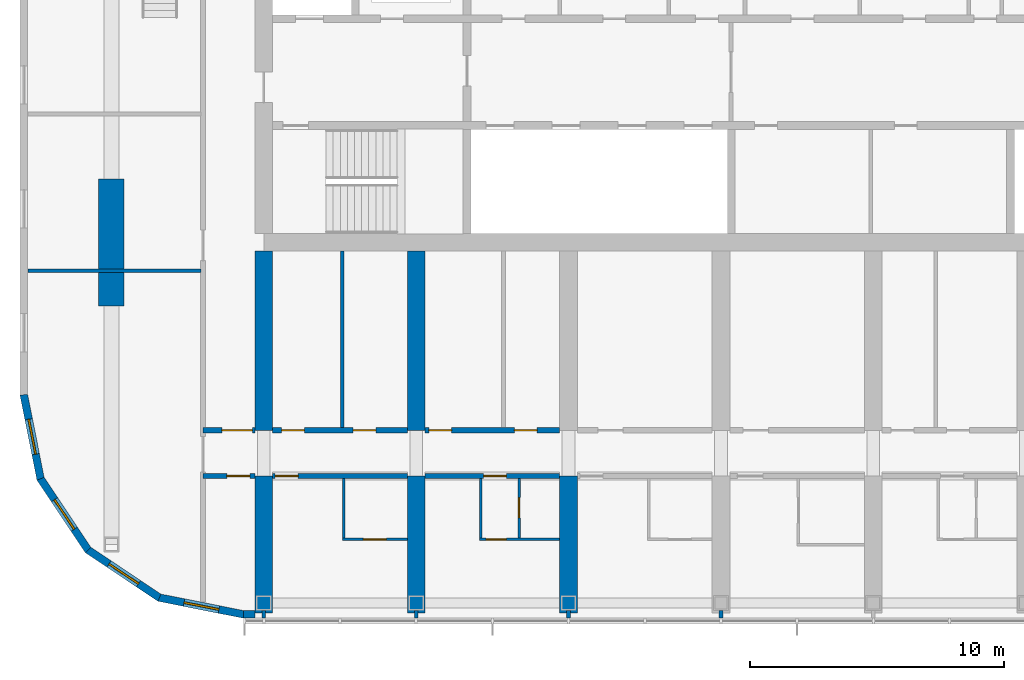
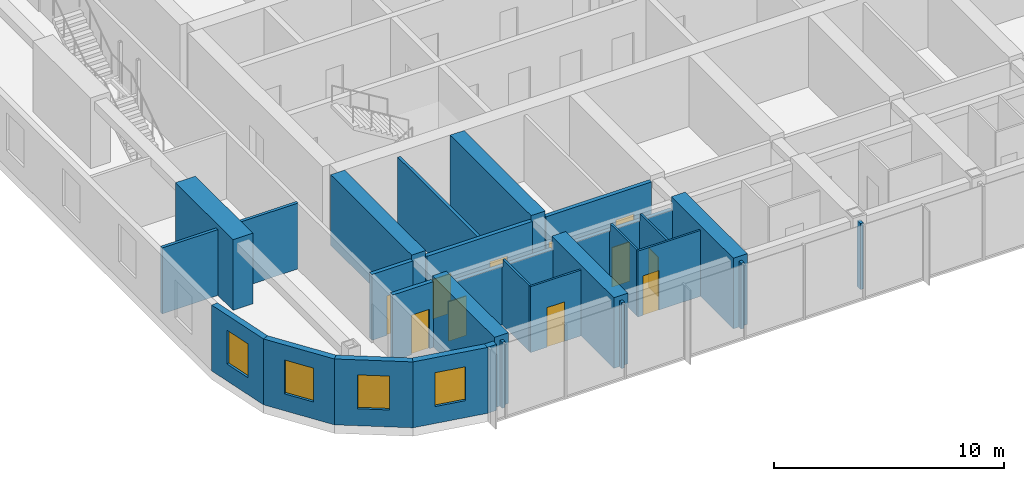
# One storey, part 13 of 28: 28 walls, 11 doors, 4 windows, 15 openings.
"""IFC4 building model written with IfcOpenShell, lengths in metres."""

from ifc_helpers import new_model, si_unit, direction, frame, frame_2d, origin, place, context, subcontext, project, spatial, polyline, rectangle, outline, extrude, material, layer, layer_set, type_object, element, fill, save


model = new_model("IFC4")

# Units and contexts
model_context = context("Model", 3, precision=1e-05, world=origin(), true_north=direction((0.0, 1.0)))
body_context = subcontext(model_context, "Body", "Model", "MODEL_VIEW")
ifc_project = project(units=[si_unit("LENGTHUNIT", "METRE"), si_unit("AREAUNIT", "SQUARE_METRE"), si_unit("VOLUMEUNIT", "CUBIC_METRE"), si_unit("PLANEANGLEUNIT", "RADIAN"), si_unit("MASSUNIT", "GRAM", prefix="KILO")], contexts=[model_context])

# Site, building, storey
site_placement = place(None, origin())
site = spatial("IfcSite", under=ifc_project, at=site_placement, CompositionType="ELEMENT")
building_placement = place(site_placement, origin())
building = spatial("IfcBuilding", under=site, at=building_placement, Name="Orbita Commons", CompositionType="ELEMENT")
storey_placement = place(building_placement, frame((0.0, 0.0, 216.550048828125)))
storey = spatial("IfcBuildingStorey", under=building, at=storey_placement, Name="L53", CompositionType="ELEMENT", Elevation=216.550048828125)

# Wall, opening, door
ifc_material_1 = material(Name="Concrete blockwork", Category="masonry")
ifc_layer_1 = layer(ifc_material_1, 0.199951171875)
ifc_layer_set_1 = layer_set([ifc_layer_1], Name="Concrete blockwork")
wall_type_1 = type_object("IfcWallType", Name="Corridor wall 200 blockwork", PredefinedType="SOLIDWALL", material=ifc_layer_set_1)
wall_1_placement = place(storey_placement, frame((15.60009765625, 16.60009765625, 0.0), z_axis=(0.0, 0.0, 1.0), x_axis=(1.0, 0.0, 0.0)))
wall_1 = element("IfcWall", 1, at=wall_1_placement, inside=storey, type_object=wall_type_1, Name="Corridor wall 200 blockwork L53", PredefinedType="SOLIDWALL", context=body_context, shape_type="SweptSolid", body=[
    extrude(rectangle(XDim=2.0498046875, YDim=0.199951171875, at=frame_2d((1.02490234375, 0.0))), origin(), (0.0, 0.0, 1.0), 3.5),
])
opening_1_placement = place(wall_1_placement, frame((0.949951171875, 0.0, 0.0)))
opening_1 = element("IfcOpeningElement", 2, at=opening_1_placement, cuts=wall_1, Name="Opening D05", PredefinedType="OPENING", context=body_context, shape_type="SweptSolid", body=[
    extrude(rectangle(XDim=0.89990234375, YDim=2.10009765625, at=frame_2d((0.449951171875, 1.050048828125))), frame((0.0, 0.10986328125, 0.0), z_axis=(0.0, -1.0, 0.0), x_axis=(1.0, 0.0, 0.0)), (0.0, 0.0, 1.0), 0.219970703125),
])
ifc_material_2 = material(Name="Steel-faced fire door leaf", Category="steel")
door_type_1 = type_object("IfcDoorType", Name="Service door 20 min 900x2100", OperationType="SINGLE_SWING_LEFT", PredefinedType="DOOR", material=ifc_material_2)
door_1_placement = place(opening_1_placement, origin())
door_1 = element("IfcDoor", 3, at=door_1_placement, inside=storey, type_object=door_type_1, Name="Linen store L53-KWS door", OperationType="SINGLE_SWING_LEFT", OverallHeight=2.10009765625, OverallWidth=0.89990234375, PredefinedType="DOOR", context=body_context, shape_type="SweptSolid", body=[
    extrude(rectangle(XDim=0.89990234375, YDim=2.10009765625, at=frame_2d((0.449951171875, 1.050048828125))), frame((0.0, 0.02490234375, 0.0), z_axis=(0.0, -1.0, 0.0), x_axis=(1.0, 0.0, 0.0)), (0.0, 0.0, 1.0), 0.050048828125),
])
fill(opening_1, door_1)

wall_2_placement = place(storey_placement, frame((18.35009765625, 16.60009765625, 0.0), z_axis=(0.0, 0.0, 1.0), x_axis=(1.0, 0.0, 0.0)))
wall_2 = element("IfcWall", 4, at=wall_2_placement, inside=storey, type_object=wall_type_1, Name="Corridor wall 200 blockwork L53", PredefinedType="SOLIDWALL", context=body_context, shape_type="SweptSolid", body=[
    extrude(outline(polyline([(0.0, 0.0), (5.2998046875, 0.0), (5.300048828125, 3.099853515625), (0.0, 3.099853515625), (0.0, 0.0)])), frame((0.0, 0.10009765625, 0.0), z_axis=(0.0, -1.0, 0.0), x_axis=(1.0, 0.0, 0.0)), (0.0, 0.0, 1.0), 0.199951171875),
])
opening_2_placement = place(wall_2_placement, frame((0.10009765625, 0.0, 0.0)))
opening_2 = element("IfcOpeningElement", 5, at=opening_2_placement, cuts=wall_2, Name="Opening D11", PredefinedType="OPENING", context=body_context, shape_type="SweptSolid", body=[
    extrude(rectangle(XDim=0.89990234375, YDim=2.10009765625, at=frame_2d((0.449951171875, 1.050048828125))), frame((0.0, 0.10986328125, 0.0), z_axis=(0.0, -1.0, 0.0), x_axis=(1.0, 0.0, 0.0)), (0.0, 0.0, 1.0), 0.219970703125),
])
ifc_material_3 = material(Name="Steel-faced fire door leaf", Category="steel")
door_type_2 = type_object("IfcDoorType", Name="Corridor door 20 min 900x2100", OperationType="SINGLE_SWING_LEFT", PredefinedType="DOOR", material=ifc_material_3)
door_2_placement = place(opening_2_placement, origin())
door_2 = element("IfcDoor", 6, at=door_2_placement, inside=storey, type_object=door_type_2, Name="Studio apartment with kitchenette L53-S00 door", OperationType="SINGLE_SWING_LEFT", OverallHeight=2.10009765625, OverallWidth=0.89990234375, PredefinedType="DOOR", context=body_context, shape_type="SweptSolid", body=[
    extrude(rectangle(XDim=0.89990234375, YDim=2.10009765625, at=frame_2d((0.449951171875, 1.050048828125))), frame((0.0, 0.02490234375, 0.0), z_axis=(0.0, -1.0, 0.0), x_axis=(1.0, 0.0, 0.0)), (0.0, 0.0, 1.0), 0.050048828125),
])
fill(opening_2, door_2)

wall_3_placement = place(storey_placement, frame((24.35009765625, 16.60009765625, 0.0), z_axis=(0.0, 0.0, 1.0), x_axis=(1.0, 0.0, 0.0)))
wall_3 = element("IfcWall", 7, at=wall_3_placement, inside=storey, type_object=wall_type_1, Name="Corridor wall 200 blockwork L53", PredefinedType="SOLIDWALL", context=body_context, shape_type="SweptSolid", body=[
    extrude(outline(polyline([(0.0, 0.0), (5.2998046875, 0.0), (5.300048828125, 3.099853515625), (0.0, 3.099853515625), (0.0, 0.0)])), frame((0.0, 0.10009765625, 0.0), z_axis=(0.0, -1.0, 0.0), x_axis=(1.0, 0.0, 0.0)), (0.0, 0.0, 1.0), 0.199951171875),
])
opening_3_placement = place(wall_3_placement, frame((2.300048828125, 0.0, 0.0)))
opening_3 = element("IfcOpeningElement", 8, at=opening_3_placement, cuts=wall_3, Name="Opening D11", PredefinedType="OPENING", context=body_context, shape_type="SweptSolid", body=[
    extrude(rectangle(XDim=0.89990234375, YDim=2.10009765625, at=frame_2d((0.449951171875, 1.050048828125))), frame((0.0, 0.10986328125, 0.0), z_axis=(0.0, -1.0, 0.0), x_axis=(1.0, 0.0, 0.0)), (0.0, 0.0, 1.0), 0.219970703125),
])
door_3_placement = place(opening_3_placement, origin())
door_3 = element("IfcDoor", 9, at=door_3_placement, inside=storey, type_object=door_type_2, Name="Studio flat L53-S02 entrance door", OperationType="SINGLE_SWING_LEFT", OverallHeight=2.10009765625, OverallWidth=0.89990234375, PredefinedType="DOOR", context=body_context, shape_type="SweptSolid", body=[
    extrude(rectangle(XDim=0.89990234375, YDim=2.10009765625, at=frame_2d((0.449951171875, 1.050048828125))), frame((0.0, 0.02490234375, 0.0), z_axis=(0.0, -1.0, 0.0), x_axis=(1.0, 0.0, 0.0)), (0.0, 0.0, 1.0), 0.050048828125),
])
fill(opening_3, door_3)

ifc_material_4 = material(Name="Hollow concrete block 200", Category="concrete")
ifc_layer_2 = layer(ifc_material_4, 0.199951171875)
ifc_layer_set_2 = layer_set([ifc_layer_2], Name="Hollow concrete block 200")
wall_type_2 = type_object("IfcWallType", Name="Corridor wall 200 hollow concrete block", PredefinedType="SOLIDWALL", material=ifc_layer_set_2)
wall_4_placement = place(storey_placement, frame((15.60009765625, 18.39990234375, 0.0), z_axis=(0.0, 0.0, 1.0), x_axis=(1.0, 0.0, 0.0)))
wall_4 = element("IfcWall", 10, at=wall_4_placement, inside=storey, type_object=wall_type_2, Name="Corridor wall 200 hollow concrete block L53", PredefinedType="SOLIDWALL", context=body_context, shape_type="SweptSolid", body=[
    extrude(rectangle(XDim=2.0498046875, YDim=0.199951171875, at=frame_2d((1.02490234375, 0.0))), origin(), (0.0, 0.0, 1.0), 3.5),
])
opening_4_placement = place(wall_4_placement, frame((0.75, 0.0, 0.0)))
opening_4 = element("IfcOpeningElement", 11, at=opening_4_placement, cuts=wall_4, Name="Opening D12", PredefinedType="OPENING", context=body_context, shape_type="SweptSolid", body=[
    extrude(rectangle(XDim=1.199951171875, YDim=2.10009765625, at=frame_2d((0.60009765625, 1.050048828125))), frame((0.0, 0.10986328125, 0.0), z_axis=(0.0, -1.0, 0.0), x_axis=(1.0, 0.0, 0.0)), (0.0, 0.0, 1.0), 0.219970703125),
])
ifc_material_5 = material(Name="Steel-faced fire door leaf", Category="steel")
door_type_3 = type_object("IfcDoorType", Name="Double corridor door 20 min 1200x2100", OperationType="DOUBLE_DOOR_SINGLE_SWING", PredefinedType="DOOR", material=ifc_material_5)
door_4_placement = place(opening_4_placement, origin())
door_4 = element("IfcDoor", 12, at=door_4_placement, inside=storey, type_object=door_type_3, Name="Cross corridor doors", OperationType="DOUBLE_DOOR_SINGLE_SWING", OverallHeight=2.10009765625, OverallWidth=1.199951171875, PredefinedType="DOOR", context=body_context, shape_type="SweptSolid", body=[
    extrude(rectangle(XDim=1.199951171875, YDim=2.10009765625, at=frame_2d((0.60009765625, 1.050048828125))), frame((0.0, 0.02490234375, 0.0), z_axis=(0.0, -1.0, 0.0), x_axis=(1.0, 0.0, 0.0)), (0.0, 0.0, 1.0), 0.050048828125),
])
fill(opening_4, door_4)

# Wall, openings, doors
wall_5_placement = place(storey_placement, frame((18.35009765625, 18.39990234375, 0.0), z_axis=(0.0, 0.0, 1.0), x_axis=(1.0, 0.0, 0.0)))
wall_5 = element("IfcWall", 13, at=wall_5_placement, inside=storey, type_object=wall_type_2, Name="Corridor wall 200 hollow concrete block L53", PredefinedType="SOLIDWALL", context=body_context, shape_type="SweptSolid", body=[
    extrude(rectangle(XDim=5.2998046875, YDim=0.199951171875, at=frame_2d((2.64990234375, 0.0))), origin(), (0.0, 0.0, 1.0), 3.5),
])
opening_5_placement = place(wall_5_placement, frame((0.35009765625, 0.0, 0.0)))
opening_5 = element("IfcOpeningElement", 14, at=opening_5_placement, cuts=wall_5, Name="Opening D11", PredefinedType="OPENING", context=body_context, shape_type="SweptSolid", body=[
    extrude(rectangle(XDim=0.89990234375, YDim=2.10009765625, at=frame_2d((0.449951171875, 1.050048828125))), frame((0.0, 0.10986328125, 0.0), z_axis=(0.0, -1.0, 0.0), x_axis=(1.0, 0.0, 0.0)), (0.0, 0.0, 1.0), 0.219970703125),
])
opening_6_placement = place(wall_5_placement, frame((3.1650390625, 0.0, 0.0)))
opening_6 = element("IfcOpeningElement", 15, at=opening_6_placement, cuts=wall_5, Name="Opening D11", PredefinedType="OPENING", context=body_context, shape_type="SweptSolid", body=[
    extrude(rectangle(XDim=0.89990234375, YDim=2.10009765625, at=frame_2d((0.449951171875, 1.050048828125))), frame((0.0, 0.10986328125, 0.0), z_axis=(0.0, -1.0, 0.0), x_axis=(1.0, 0.0, 0.0)), (0.0, 0.0, 1.0), 0.219970703125),
])
door_5_placement = place(opening_5_placement, origin())
door_5 = element("IfcDoor", 16, at=door_5_placement, inside=storey, type_object=door_type_2, Name="Accessible WC and shower room L53-BDS18n door", OperationType="SINGLE_SWING_LEFT", OverallHeight=2.10009765625, OverallWidth=0.89990234375, PredefinedType="DOOR", context=body_context, shape_type="SweptSolid", body=[
    extrude(rectangle(XDim=0.89990234375, YDim=2.10009765625, at=frame_2d((0.449951171875, 1.050048828125))), frame((0.0, 0.02490234375, 0.0), z_axis=(0.0, -1.0, 0.0), x_axis=(1.0, 0.0, 0.0)), (0.0, 0.0, 1.0), 0.050048828125),
])
fill(opening_5, door_5)
door_6_placement = place(opening_6_placement, origin())
door_6 = element("IfcDoor", 17, at=door_6_placement, inside=storey, type_object=door_type_2, Name="Media room L53-BDS18 door", OperationType="SINGLE_SWING_LEFT", OverallHeight=2.10009765625, OverallWidth=0.89990234375, PredefinedType="DOOR", context=body_context, shape_type="SweptSolid", body=[
    extrude(rectangle(XDim=0.89990234375, YDim=2.10009765625, at=frame_2d((0.449951171875, 1.050048828125))), frame((0.0, 0.02490234375, 0.0), z_axis=(0.0, -1.0, 0.0), x_axis=(1.0, 0.0, 0.0)), (0.0, 0.0, 1.0), 0.050048828125),
])
fill(opening_6, door_6)

wall_6_placement = place(storey_placement, frame((24.35009765625, 18.39990234375, 0.0), z_axis=(0.0, 0.0, 1.0), x_axis=(1.0, 0.0, 0.0)))
wall_6 = element("IfcWall", 18, at=wall_6_placement, inside=storey, type_object=wall_type_2, Name="Corridor wall 200 hollow concrete block L53", PredefinedType="SOLIDWALL", context=body_context, shape_type="SweptSolid", body=[
    extrude(rectangle(XDim=5.2998046875, YDim=0.199951171875, at=frame_2d((2.64990234375, 0.0))), origin(), (0.0, 0.0, 1.0), 3.5),
])
opening_7_placement = place(wall_6_placement, frame((0.14990234375, 0.0, 0.0)))
opening_7 = element("IfcOpeningElement", 19, at=opening_7_placement, cuts=wall_6, Name="Opening D11", PredefinedType="OPENING", context=body_context, shape_type="SweptSolid", body=[
    extrude(rectangle(XDim=0.89990234375, YDim=2.10009765625, at=frame_2d((0.449951171875, 1.050048828125))), frame((0.0, 0.10986328125, 0.0), z_axis=(0.0, -1.0, 0.0), x_axis=(1.0, 0.0, 0.0)), (0.0, 0.0, 1.0), 0.219970703125),
])
opening_8_placement = place(wall_6_placement, frame((3.514892578125, 0.0, 0.0)))
opening_8 = element("IfcOpeningElement", 20, at=opening_8_placement, cuts=wall_6, Name="Opening D11", PredefinedType="OPENING", context=body_context, shape_type="SweptSolid", body=[
    extrude(rectangle(XDim=0.89990234375, YDim=2.10009765625, at=frame_2d((0.449951171875, 1.050048828125))), frame((0.0, 0.10986328125, 0.0), z_axis=(0.0, -1.0, 0.0), x_axis=(1.0, 0.0, 0.0)), (0.0, 0.0, 1.0), 0.219970703125),
])
door_7_placement = place(opening_7_placement, origin())
door_7 = element("IfcDoor", 21, at=door_7_placement, inside=storey, type_object=door_type_2, Name="Fitness room L53-BDS24 door", OperationType="SINGLE_SWING_LEFT", OverallHeight=2.10009765625, OverallWidth=0.89990234375, PredefinedType="DOOR", context=body_context, shape_type="SweptSolid", body=[
    extrude(rectangle(XDim=0.89990234375, YDim=2.10009765625, at=frame_2d((0.449951171875, 1.050048828125))), frame((0.0, 0.02490234375, 0.0), z_axis=(0.0, -1.0, 0.0), x_axis=(1.0, 0.0, 0.0)), (0.0, 0.0, 1.0), 0.050048828125),
])
fill(opening_7, door_7)
door_8_placement = place(opening_8_placement, origin())
door_8 = element("IfcDoor", 22, at=door_8_placement, inside=storey, type_object=door_type_2, Name="Water heater cupboard L53-BDS24n door", OperationType="SINGLE_SWING_LEFT", OverallHeight=2.10009765625, OverallWidth=0.89990234375, PredefinedType="DOOR", context=body_context, shape_type="SweptSolid", body=[
    extrude(rectangle(XDim=0.89990234375, YDim=2.10009765625, at=frame_2d((0.449951171875, 1.050048828125))), frame((0.0, 0.02490234375, 0.0), z_axis=(0.0, -1.0, 0.0), x_axis=(1.0, 0.0, 0.0)), (0.0, 0.0, 1.0), 0.050048828125),
])
fill(opening_8, door_8)

# Walls
ifc_material_6 = material(Name="Concrete C50/60", Category="concrete")
ifc_layer_3 = layer(ifc_material_6, 0.699951171875)
ifc_layer_set_3 = layer_set([ifc_layer_3], Name="Concrete C50/60")
wall_type_3 = type_object("IfcWallType", Name="Cross wall 700 C50/60", PredefinedType="SHEAR", material=ifc_layer_set_3)
wall_7_placement = place(storey_placement, frame((18.0, 11.199951171875, 0.0), z_axis=(0.0, 0.0, 1.0), x_axis=(0.0, 1.0, 0.0)))
element("IfcWall", 23, at=wall_7_placement, inside=storey, type_object=wall_type_3, Name="Cross wall 4 south outer L53", PredefinedType="SHEAR", context=body_context, shape_type="SweptSolid", body=[
    extrude(rectangle(XDim=5.400146484375, YDim=0.699951171875, at=frame_2d((2.7001953125, 0.0))), origin(), (0.0, 0.0, 1.0), 3.75),
])
wall_8_placement = place(storey_placement, frame((18.0, 18.39990234375, 0.0), z_axis=(0.0, 0.0, 1.0), x_axis=(0.0, 1.0, 0.0)))
element("IfcWall", 24, at=wall_8_placement, inside=storey, type_object=wall_type_3, Name="Cross wall 4 south inner L53", PredefinedType="SHEAR", context=body_context, shape_type="SweptSolid", body=[
    extrude(rectangle(XDim=7.050048828125, YDim=0.699951171875, at=frame_2d((3.52490234375, 0.0))), origin(), (0.0, 0.0, 1.0), 3.75),
])
wall_9_placement = place(storey_placement, frame((24.0, 11.199951171875, 0.0), z_axis=(0.0, 0.0, 1.0), x_axis=(0.0, 1.0, 0.0)))
element("IfcWall", 25, at=wall_9_placement, inside=storey, type_object=wall_type_3, Name="Cross wall 5 south outer L53", PredefinedType="SHEAR", context=body_context, shape_type="SweptSolid", body=[
    extrude(rectangle(XDim=5.400146484375, YDim=0.699951171875, at=frame_2d((2.7001953125, 0.0))), origin(), (0.0, 0.0, 1.0), 3.75),
])
wall_10_placement = place(storey_placement, frame((24.0, 18.39990234375, 0.0), z_axis=(0.0, 0.0, 1.0), x_axis=(0.0, 1.0, 0.0)))
element("IfcWall", 26, at=wall_10_placement, inside=storey, type_object=wall_type_3, Name="Cross wall 5 south inner L53", PredefinedType="SHEAR", context=body_context, shape_type="SweptSolid", body=[
    extrude(rectangle(XDim=7.050048828125, YDim=0.699951171875, at=frame_2d((3.52490234375, 0.0))), origin(), (0.0, 0.0, 1.0), 3.75),
])
wall_11_placement = place(storey_placement, frame((30.0, 11.199951171875, 0.0), z_axis=(0.0, 0.0, 1.0), x_axis=(0.0, 1.0, 0.0)))
element("IfcWall", 27, at=wall_11_placement, inside=storey, type_object=wall_type_3, Name="Cross wall 6 south outer L53", PredefinedType="SHEAR", context=body_context, shape_type="SweptSolid", body=[
    extrude(rectangle(XDim=5.400146484375, YDim=0.699951171875, at=frame_2d((2.7001953125, 0.0))), origin(), (0.0, 0.0, 1.0), 3.75),
])

# Wall, opening, door
ifc_material_7 = material(Name="Moisture-resistant plasterboard on steel studs", Category="steel")
ifc_layer_4 = layer(ifc_material_7, 0.10009765625)
ifc_layer_set_4 = layer_set([ifc_layer_4], Name="Moisture-resistant plasterboard on steel studs")
wall_type_4 = type_object("IfcWallType", Name="En-suite partition 100", PredefinedType="PARTITIONING", material=ifc_layer_set_4)
wall_12_placement = place(storey_placement, frame((23.64990234375, 14.10009765625, 0.0), z_axis=(0.0, 0.0, 1.0), x_axis=(-1.0, 0.0, 0.0)))
wall_12 = element("IfcWall", 28, at=wall_12_placement, inside=storey, type_object=wall_type_4, Name="En-suite partition 100 L53", PredefinedType="PARTITIONING", context=body_context, shape_type="SweptSolid", body=[
    extrude(rectangle(XDim=2.5498046875, YDim=0.10009765625, at=frame_2d((1.27490234375, 0.0))), origin(), (0.0, 0.0, 1.0), 3.5),
])
opening_9_placement = place(wall_12_placement, frame((0.824951171875, 0.0, 0.0)))
opening_9 = element("IfcOpeningElement", 29, at=opening_9_placement, cuts=wall_12, Name="Opening D09", PredefinedType="OPENING", context=body_context, shape_type="SweptSolid", body=[
    extrude(rectangle(XDim=0.89990234375, YDim=2.10009765625, at=frame_2d((0.449951171875, 1.050048828125))), frame((0.0, 0.06005859375, 0.0), z_axis=(0.0, -1.0, 0.0), x_axis=(1.0, 0.0, 0.0)), (0.0, 0.0, 1.0), 0.1201171875),
])
ifc_material_8 = material(Name="Laminated timber door leaf", Category="wood")
door_type_4 = type_object("IfcDoorType", Name="En-suite door 900x2100", OperationType="SINGLE_SWING_RIGHT", PredefinedType="DOOR", material=ifc_material_8)
door_9_placement = place(opening_9_placement, origin())
door_9 = element("IfcDoor", 30, at=door_9_placement, inside=storey, type_object=door_type_4, Name="En-suite L53-S00 door", OperationType="SINGLE_SWING_RIGHT", OverallHeight=2.10009765625, OverallWidth=0.89990234375, PredefinedType="DOOR", context=body_context, shape_type="SweptSolid", body=[
    extrude(rectangle(XDim=0.89990234375, YDim=2.10009765625, at=frame_2d((0.449951171875, 1.050048828125))), frame((0.0, 0.02490234375, 0.0), z_axis=(0.0, -1.0, 0.0), x_axis=(1.0, 0.0, 0.0)), (0.0, 0.0, 1.0), 0.050048828125),
])
fill(opening_9, door_9)

# Wall
wall_13_placement = place(storey_placement, frame((21.14990234375, 14.14990234375, 0.0), z_axis=(0.0, 0.0, 1.0), x_axis=(0.0, 1.0, 0.0)))
element("IfcWall", 31, at=wall_13_placement, inside=storey, type_object=wall_type_4, Name="En-suite partition 100 L53", PredefinedType="PARTITIONING", context=body_context, shape_type="SweptSolid", body=[
    extrude(outline(polyline([(0.0, 0.0), (2.35009765625, 0.0), (2.35009765625, 3.099853515625), (2.302001953125, 3.099853515625), (2.300048828125, 3.5), (0.0, 3.5), (0.0, 0.0)])), frame((0.0, 0.050048828125, 0.0), z_axis=(0.0, -1.0, 0.0), x_axis=(1.0, 0.0, 0.0)), (0.0, 0.0, 1.0), 0.10009765625),
])

# Wall, opening, door
wall_14_placement = place(storey_placement, frame((29.64990234375, 14.10009765625, 0.0), z_axis=(0.0, 0.0, 1.0), x_axis=(-1.0, 0.0, 0.0)))
wall_14 = element("IfcWall", 32, at=wall_14_placement, inside=storey, type_object=wall_type_4, Name="En-suite partition 100 L53", PredefinedType="PARTITIONING", context=body_context, shape_type="SweptSolid", body=[
    extrude(rectangle(XDim=3.14990234375, YDim=0.10009765625, at=frame_2d((1.574951171875, 0.0))), origin(), (0.0, 0.0, 1.0), 3.5),
])
opening_10_placement = place(wall_14_placement, frame((2.10009765625, 0.0, 0.0)))
opening_10 = element("IfcOpeningElement", 33, at=opening_10_placement, cuts=wall_14, Name="Opening D16", PredefinedType="OPENING", context=body_context, shape_type="SweptSolid", body=[
    extrude(rectangle(XDim=0.800048828125, YDim=2.10009765625, at=frame_2d((0.39990234375, 1.050048828125))), frame((0.0, 0.06005859375, 0.0), z_axis=(0.0, -1.0, 0.0), x_axis=(1.0, 0.0, 0.0)), (0.0, 0.0, 1.0), 0.1201171875),
])
ifc_material_9 = material(Name="Laminated timber door leaf", Category="wood")
door_type_5 = type_object("IfcDoorType", Name="En-suite door 800x2100", OperationType="SINGLE_SWING_RIGHT", PredefinedType="DOOR", material=ifc_material_9)
door_10_placement = place(opening_10_placement, origin())
door_10 = element("IfcDoor", 34, at=door_10_placement, inside=storey, type_object=door_type_5, Name="Studio flat L53-S02 door", OperationType="SINGLE_SWING_RIGHT", OverallHeight=2.10009765625, OverallWidth=0.800048828125, PredefinedType="DOOR", context=body_context, shape_type="SweptSolid", body=[
    extrude(rectangle(XDim=0.800048828125, YDim=2.10009765625, at=frame_2d((0.39990234375, 1.050048828125))), frame((0.0, 0.02490234375, 0.0), z_axis=(0.0, -1.0, 0.0), x_axis=(1.0, 0.0, 0.0)), (0.0, 0.0, 1.0), 0.050048828125),
])
fill(opening_10, door_10)

# Wall
wall_15_placement = place(storey_placement, frame((26.550048828125, 14.14990234375, 0.0), z_axis=(0.0, 0.0, 1.0), x_axis=(0.0, 1.0, 0.0)))
element("IfcWall", 35, at=wall_15_placement, inside=storey, type_object=wall_type_4, Name="En-suite partition 100 L53", PredefinedType="PARTITIONING", context=body_context, shape_type="SweptSolid", body=[
    extrude(outline(polyline([(0.0, 0.0), (2.35009765625, 0.0), (2.35009765625, 3.099853515625), (2.302001953125, 3.099853515625), (2.300048828125, 3.5), (0.0, 3.5), (0.0, 0.0)])), frame((0.0, 0.050048828125, 0.0), z_axis=(0.0, -1.0, 0.0), x_axis=(1.0, 0.0, 0.0)), (0.0, 0.0, 1.0), 0.10009765625),
])

# Wall, opening, door
wall_16_placement = place(storey_placement, frame((28.050048828125, 14.14990234375, 0.0), z_axis=(0.0, 0.0, 1.0), x_axis=(0.0, 1.0, 0.0)))
wall_16 = element("IfcWall", 36, at=wall_16_placement, inside=storey, type_object=wall_type_4, Name="En-suite partition 100 L53", PredefinedType="PARTITIONING", context=body_context, shape_type="SweptSolid", body=[
    extrude(outline(polyline([(0.0, 0.0), (2.35009765625, 0.0), (2.35009765625, 3.099853515625), (2.302001953125, 3.099853515625), (2.300048828125, 3.5), (0.0, 3.5), (0.0, 0.0)])), frame((0.0, 0.050048828125, 0.0), z_axis=(0.0, -1.0, 0.0), x_axis=(1.0, 0.0, 0.0)), (0.0, 0.0, 1.0), 0.10009765625),
])
opening_11_placement = place(wall_16_placement, frame((0.800048828125, 0.0, 0.0)))
opening_11 = element("IfcOpeningElement", 37, at=opening_11_placement, cuts=wall_16, Name="Opening D16", PredefinedType="OPENING", context=body_context, shape_type="SweptSolid", body=[
    extrude(rectangle(XDim=0.800048828125, YDim=2.10009765625, at=frame_2d((0.39990234375, 1.050048828125))), frame((0.0, 0.06005859375, 0.0), z_axis=(0.0, -1.0, 0.0), x_axis=(1.0, 0.0, 0.0)), (0.0, 0.0, 1.0), 0.1201171875),
])
door_11_placement = place(opening_11_placement, origin())
door_11 = element("IfcDoor", 38, at=door_11_placement, inside=storey, type_object=door_type_5, Name="Studio flat shower room L53-S02 door", OperationType="SINGLE_SWING_RIGHT", OverallHeight=2.10009765625, OverallWidth=0.800048828125, PredefinedType="DOOR", context=body_context, shape_type="SweptSolid", body=[
    extrude(rectangle(XDim=0.800048828125, YDim=2.10009765625, at=frame_2d((0.39990234375, 1.050048828125))), frame((0.0, 0.02490234375, 0.0), z_axis=(0.0, -1.0, 0.0), x_axis=(1.0, 0.0, 0.0)), (0.0, 0.0, 1.0), 0.050048828125),
])
fill(opening_11, door_11)

# Walls
ifc_material_10 = material(Name="Concrete C50/60", Category="concrete")
ifc_layer_5 = layer(ifc_material_10, 1.0)
ifc_layer_set_5 = layer_set([ifc_layer_5], Name="Concrete C50/60")
wall_type_5 = type_object("IfcWallType", Name="End pier 1000x5000 C50/60", PredefinedType="SHEAR", material=ifc_layer_set_5)
wall_17_placement = place(storey_placement, frame((12.0, 23.300048828125, 0.0), z_axis=(0.0, 0.0, 1.0), x_axis=(0.0, 1.0, 0.0)))
element("IfcWall", 39, at=wall_17_placement, inside=storey, type_object=wall_type_5, Name="End pier 3/C L53", PredefinedType="SHEAR", context=body_context, shape_type="SweptSolid", body=[
    extrude(rectangle(XDim=5.0, YDim=1.0, at=frame_2d((2.5, 0.0))), origin(), (0.0, 0.0, 1.0), 3.75),
])
ifc_material_11 = material(Name="Gypsum plasterboard on steel studs", Category="steel")
ifc_layer_6 = layer(ifc_material_11, 0.14990234375)
ifc_layer_set_6 = layer_set([ifc_layer_6], Name="Gypsum plasterboard on steel studs")
wall_type_6 = type_object("IfcWallType", Name="Partition 150 plasterboard", PredefinedType="PARTITIONING", material=ifc_layer_set_6)
wall_18_placement = place(storey_placement, frame((21.090087890625, 18.5, 0.0), z_axis=(0.0, 0.0, 1.0), x_axis=(0.0, 1.0, 0.0)))
element("IfcWall", 40, at=wall_18_placement, inside=storey, type_object=wall_type_6, Name="Partition 150 plasterboard L53", PredefinedType="PARTITIONING", context=body_context, shape_type="SweptSolid", body=[
    extrude(rectangle(XDim=6.949951171875, YDim=0.14990234375, at=frame_2d((3.47509765625, 0.0))), origin(), (0.0, 0.0, 1.0), 3.5),
])
wall_19_placement = place(storey_placement, frame((8.705078125, 24.679931640625, 0.0), z_axis=(0.0, 0.0, 1.0), x_axis=(1.0, 0.0, 0.0)))
element("IfcWall", 41, at=wall_19_placement, inside=storey, type_object=wall_type_6, Name="Partition 150 plasterboard L53", PredefinedType="PARTITIONING", context=body_context, shape_type="SweptSolid", body=[
    extrude(rectangle(XDim=6.81982421875, YDim=0.14990234375, at=frame_2d((3.409912109375, 0.0))), origin(), (0.0, 0.0, 1.0), 3.5),
])
for number, where, z_axis, x_axis, name in (
    (42, (18.0, 11.300048828125, 0.0), (0.0, 0.0, 1.0), (0.0, -1.0, 0.0), "Partition 150 plasterboard L53"),
    (43, (24.0, 11.300048828125, 0.0), (0.0, 0.0, 1.0), (0.0, -1.0, 0.0), "Partition 150 plasterboard L53"),
    (44, (30.0, 11.300048828125, 0.0), (0.0, 0.0, 1.0), (0.0, -1.0, 0.0), "Partition 150 plasterboard L53"),
    (45, (36.0, 11.300048828125, 0.0), (0.0, 0.0, 1.0), (0.0, -1.0, 0.0), "Partition 150 plasterboard L53"),
):
    element("IfcWall", number, at=place(storey_placement, frame(where, z_axis=z_axis, x_axis=x_axis)), inside=storey, type_object=wall_type_6, Name=name, PredefinedType="PARTITIONING", context=body_context, shape_type="SweptSolid", body=[
        extrude(rectangle(XDim=0.2900390625, YDim=0.14990234375, at=frame_2d((0.14501953125, 0.0))), origin(), (0.0, 0.0, 1.0), 3.5),
    ])

# Wall, opening, window
ifc_material_12 = material(Name="Precast concrete C40/50, white board-marked finish", Category="concrete")
ifc_layer_7 = layer(ifc_material_12, 0.300048828125)
ifc_layer_set_7 = layer_set([ifc_layer_7], Name="Precast concrete C40/50, white board-marked finish")
wall_type_7 = type_object("IfcWallType", Name="Precast concrete end shield 300", PredefinedType="SOLIDWALL", material=ifc_layer_set_7)
wall_20_placement = place(storey_placement, frame((8.550048828125, 19.800048828125, 0.0), z_axis=(0.0, 0.0, 1.0), x_axis=(0.19508664885, -0.980786011034, 0.0)))
wall_20 = element("IfcWall", 46, at=wall_20_placement, inside=storey, type_object=wall_type_7, Name="End shield SW chord 1 L53", PredefinedType="SOLIDWALL", context=body_context, shape_type="SweptSolid", body=[
    extrude(outline(polyline([(-0.014892578125, -0.14990234375), (3.405029296875, -0.14990234375), (3.345458984375, 0.14990234375), (0.014892578125, 0.14990234375), (-0.014892578125, -0.14990234375)])), origin(), (0.0, 0.0, 1.0), 3.5),
])
opening_12_placement = place(wall_20_placement, frame((0.987548828125, 0.0, 0.89990234375)))
opening_12 = element("IfcOpeningElement", 47, at=opening_12_placement, cuts=wall_20, Name="Opening W02", PredefinedType="OPENING", context=body_context, shape_type="SweptSolid", body=[
    extrude(rectangle(XDim=1.39990234375, YDim=1.800048828125, at=frame_2d((0.699951171875, 0.89990234375))), frame((0.0, 0.159912109375, 0.0), z_axis=(0.0, -1.0, 0.0), x_axis=(1.0, 0.0, 0.0)), (0.0, 0.0, 1.0), 0.320068359375),
])
ifc_material_13 = material(Name="Aluminium frame, clear double glazing", Category="aluminium")
window_type = type_object("IfcWindowType", Name="Deep-set window 1400x1800", PartitioningType="SINGLE_PANEL", PredefinedType="WINDOW", material=ifc_material_13)
window_1_placement = place(opening_12_placement, origin())
window_1 = element("IfcWindow", 48, at=window_1_placement, inside=storey, type_object=window_type, Name="Window L53-SW0", OverallHeight=1.800048828125, OverallWidth=1.39990234375, PartitioningType="SINGLE_PANEL", PredefinedType="WINDOW", context=body_context, shape_type="SweptSolid", body=[
    extrude(rectangle(XDim=1.39990234375, YDim=1.800048828125, at=frame_2d((0.699951171875, 0.89990234375))), frame((0.0, 0.030029296875, 0.0), z_axis=(0.0, -1.0, 0.0), x_axis=(1.0, 0.0, 0.0)), (0.0, 0.0, 1.0), 0.06005859375),
])
fill(opening_12, window_1)

wall_21_placement = place(storey_placement, frame((9.20849609375, 16.48974609375, 0.0), z_axis=(0.0, 0.0, 1.0), x_axis=(0.555567969291, -0.831471124873, 0.0)))
wall_21 = element("IfcWall", 49, at=wall_21_placement, inside=storey, type_object=wall_type_7, Name="End shield SW chord 2 L53", PredefinedType="SOLIDWALL", context=body_context, shape_type="SweptSolid", body=[
    extrude(outline(polyline([(-0.02978515625, -0.14990234375), (3.40478515625, -0.14990234375), (3.34521484375, 0.14990234375), (0.02978515625, 0.14990234375), (-0.02978515625, -0.14990234375)])), origin(), (0.0, 0.0, 1.0), 3.5),
])
opening_13_placement = place(wall_21_placement, frame((0.987548828125, 0.0, 0.89990234375)))
opening_13 = element("IfcOpeningElement", 50, at=opening_13_placement, cuts=wall_21, Name="Opening W02", PredefinedType="OPENING", context=body_context, shape_type="SweptSolid", body=[
    extrude(rectangle(XDim=1.39990234375, YDim=1.800048828125, at=frame_2d((0.699951171875, 0.89990234375))), frame((0.0, 0.159912109375, 0.0), z_axis=(0.0, -1.0, 0.0), x_axis=(1.0, 0.0, 0.0)), (0.0, 0.0, 1.0), 0.320068359375),
])
window_2_placement = place(opening_13_placement, origin())
window_2 = element("IfcWindow", 51, at=window_2_placement, inside=storey, type_object=window_type, Name="Window L53-SW1", OverallHeight=1.800048828125, OverallWidth=1.39990234375, PartitioningType="SINGLE_PANEL", PredefinedType="WINDOW", context=body_context, shape_type="SweptSolid", body=[
    extrude(rectangle(XDim=1.39990234375, YDim=1.800048828125, at=frame_2d((0.699951171875, 0.89990234375))), frame((0.0, 0.030029296875, 0.0), z_axis=(0.0, -1.0, 0.0), x_axis=(1.0, 0.0, 0.0)), (0.0, 0.0, 1.0), 0.06005859375),
])
fill(opening_13, window_2)

wall_22_placement = place(storey_placement, frame((11.08349609375, 13.68359375, 0.0), z_axis=(0.0, 0.0, 1.0), x_axis=(0.831460037396, -0.555584562613, 0.0)))
wall_22 = element("IfcWall", 52, at=wall_22_placement, inside=storey, type_object=wall_type_7, Name="End shield SW chord 3 L53", PredefinedType="SOLIDWALL", context=body_context, shape_type="SweptSolid", body=[
    extrude(outline(polyline([(-0.02978515625, -0.14990234375), (3.405029296875, -0.14990234375), (3.345458984375, 0.14990234375), (0.02978515625, 0.14990234375), (-0.02978515625, -0.14990234375)])), origin(), (0.0, 0.0, 1.0), 3.5),
])
opening_14_placement = place(wall_22_placement, frame((0.987548828125, 0.0, 0.89990234375)))
opening_14 = element("IfcOpeningElement", 53, at=opening_14_placement, cuts=wall_22, Name="Opening W02", PredefinedType="OPENING", context=body_context, shape_type="SweptSolid", body=[
    extrude(rectangle(XDim=1.39990234375, YDim=1.800048828125, at=frame_2d((0.699951171875, 0.89990234375))), frame((0.0, 0.159912109375, 0.0), z_axis=(0.0, -1.0, 0.0), x_axis=(1.0, 0.0, 0.0)), (0.0, 0.0, 1.0), 0.320068359375),
])
window_3_placement = place(opening_14_placement, origin())
window_3 = element("IfcWindow", 54, at=window_3_placement, inside=storey, type_object=window_type, Name="Window L53-SW2", OverallHeight=1.800048828125, OverallWidth=1.39990234375, PartitioningType="SINGLE_PANEL", PredefinedType="WINDOW", context=body_context, shape_type="SweptSolid", body=[
    extrude(rectangle(XDim=1.39990234375, YDim=1.800048828125, at=frame_2d((0.699951171875, 0.89990234375))), frame((0.0, 0.030029296875, 0.0), z_axis=(0.0, -1.0, 0.0), x_axis=(1.0, 0.0, 0.0)), (0.0, 0.0, 1.0), 0.06005859375),
])
fill(opening_14, window_3)

wall_23_placement = place(storey_placement, frame((13.889892578125, 11.808349609375, 0.0), z_axis=(0.0, 0.0, 1.0), x_axis=(0.98078325777, -0.195100490205, 0.0)))
wall_23 = element("IfcWall", 55, at=wall_23_placement, inside=storey, type_object=wall_type_7, Name="End shield SW chord 4 L53", PredefinedType="SOLIDWALL", context=body_context, shape_type="SweptSolid", body=[
    extrude(outline(polyline([(-0.02978515625, -0.14990234375), (3.40478515625, -0.14990234375), (3.34521484375, 0.14990234375), (0.02978515625, 0.14990234375), (-0.02978515625, -0.14990234375)])), origin(), (0.0, 0.0, 1.0), 3.5),
])
opening_15_placement = place(wall_23_placement, frame((0.987548828125, 0.0, 0.89990234375)))
opening_15 = element("IfcOpeningElement", 56, at=opening_15_placement, cuts=wall_23, Name="Opening W02", PredefinedType="OPENING", context=body_context, shape_type="SweptSolid", body=[
    extrude(rectangle(XDim=1.39990234375, YDim=1.800048828125, at=frame_2d((0.699951171875, 0.89990234375))), frame((0.0, 0.159912109375, 0.0), z_axis=(0.0, -1.0, 0.0), x_axis=(1.0, 0.0, 0.0)), (0.0, 0.0, 1.0), 0.320068359375),
])
window_4_placement = place(opening_15_placement, origin())
window_4 = element("IfcWindow", 57, at=window_4_placement, inside=storey, type_object=window_type, Name="Window L53-SW3", OverallHeight=1.800048828125, OverallWidth=1.39990234375, PartitioningType="SINGLE_PANEL", PredefinedType="WINDOW", context=body_context, shape_type="SweptSolid", body=[
    extrude(rectangle(XDim=1.39990234375, YDim=1.800048828125, at=frame_2d((0.699951171875, 0.89990234375))), frame((0.0, 0.030029296875, 0.0), z_axis=(0.0, -1.0, 0.0), x_axis=(1.0, 0.0, 0.0)), (0.0, 0.0, 1.0), 0.06005859375),
])
fill(opening_15, window_4)

# Wall
wall_24_placement = place(storey_placement, frame((17.199951171875, 11.14990234375, 0.0), z_axis=(0.0, 0.0, 1.0), x_axis=(1.0, 0.0, 0.0)))
element("IfcWall", 58, at=wall_24_placement, inside=storey, type_object=wall_type_7, Name="End shield SW closer L53", PredefinedType="SOLIDWALL", context=body_context, shape_type="SweptSolid", body=[
    extrude(rectangle(XDim=0.449951171875, YDim=0.300048828125, at=frame_2d((0.22509765625, 0.0))), origin(), (0.0, 0.0, 1.0), 3.5),
])

save(model, "model.ifc")
